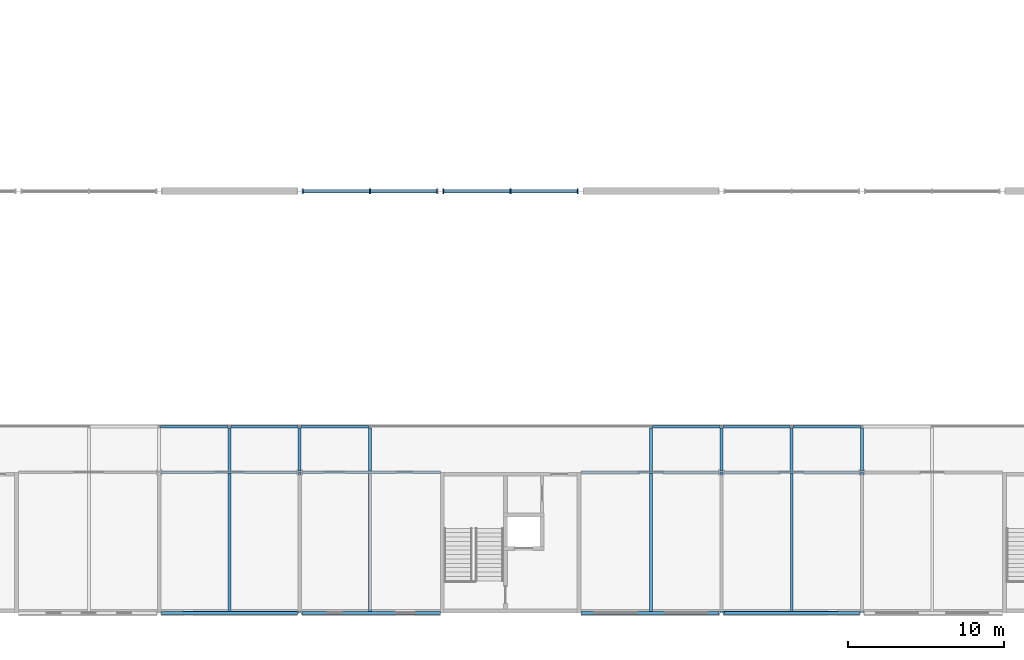
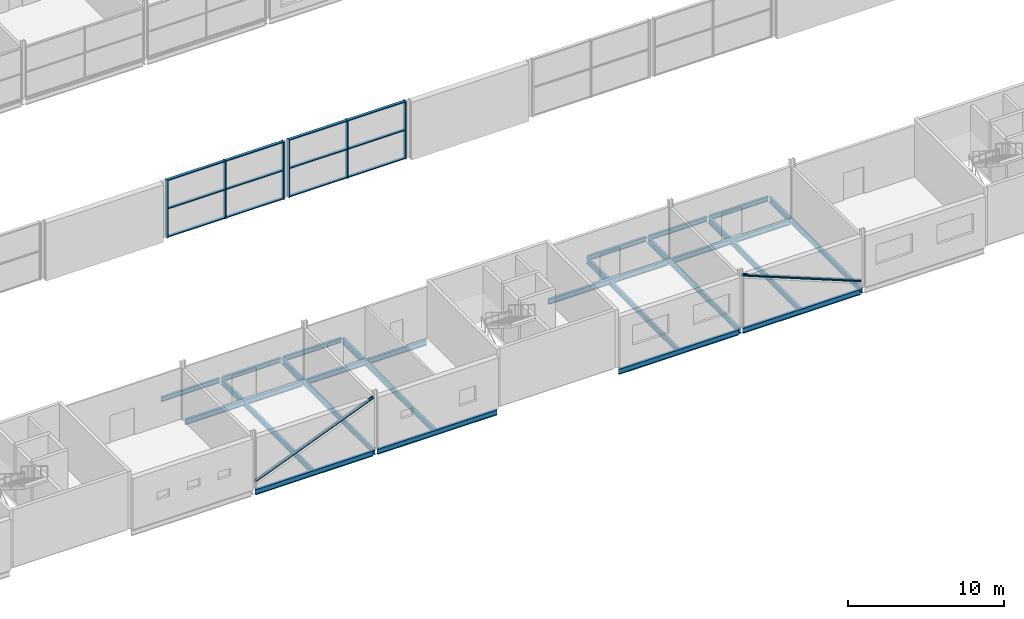
# One storey, part 33 of 97: 28 beams, 20 members, 2 elements without a shape of their own.
"""IFC4 building model written with IfcOpenShell, lengths in metres."""

from ifc_helpers import new_model, si_unit, direction, frame, origin, origin_2d, place, context, subcontext, project, spatial, rectangle, hollow_circle, i_section, extrude, material, layer, layer_set, material_profile, profile_set, type_object, element, aggregate, save


model = new_model("IFC4")

# Units and contexts
model_context = context("Model", 3, precision=1e-05, world=origin(), true_north=direction((0.0, 1.0)))
body_context = subcontext(model_context, "Body", "Model", "MODEL_VIEW")
ifc_project = project(units=[si_unit("LENGTHUNIT", "METRE"), si_unit("AREAUNIT", "SQUARE_METRE"), si_unit("VOLUMEUNIT", "CUBIC_METRE"), si_unit("PLANEANGLEUNIT", "RADIAN"), si_unit("MASSUNIT", "GRAM", prefix="KILO")], contexts=[model_context])

# Site, building, storey
site_placement = place(None, origin())
site = spatial("IfcSite", under=ifc_project, at=site_placement, CompositionType="ELEMENT")
building_placement = place(site_placement, origin())
building = spatial("IfcBuilding", under=site, at=building_placement, Name="Corbel Yard City Hall", CompositionType="ELEMENT")
storey_placement = place(building_placement, frame((0.0, 0.0, 6.0)))
storey = spatial("IfcBuildingStorey", under=building, at=storey_placement, Name="L01", CompositionType="ELEMENT", Elevation=6.0)

# Beams
ifc_material_1 = material(Name="Steel Grade 300 (300 MPa yield)", Category="steel")
ifc_material_profile_1 = material_profile(ifc_material_1, i_section(OverallWidth=0.177978515625, OverallDepth=0.403076171875, WebThickness=0.007568359375, FlangeThickness=0.010986328125, at=origin_2d()), Name="410UB53.7")
ifc_profile_set_1 = profile_set([ifc_material_profile_1], Name="Steel Grade 300 (300 MPa yield)")
beam_type_1 = type_object("IfcBeamType", Name="Beam 410UB53.7", PredefinedType="BEAM", material=ifc_profile_set_1)
for number, where, z_axis, x_axis, name in (
    (1, (72.0, 0.005859375, -0.3515625), (0.0, 1.0, 0.0), (-1.0, 0.0, 0.0), "Beam 410UB53.7 SB6 L01floor"),
    (2, (99.0, 0.005859375, -0.3515625), (0.0, 1.0, 0.0), (-1.0, 0.0, 0.0), "Beam 410UB53.7 SB6 L01floor"),
    (3, (108.0, 0.005859375, -0.3515625), (0.0, 1.0, 0.0), (-1.0, 0.0, 0.0), "Beam 410UB53.7 SB6 L01floor"),
):
    element("IfcBeam", number, at=place(storey_placement, frame(where, z_axis=z_axis, x_axis=x_axis)), inside=storey, type_object=beam_type_1, Name=name, PredefinedType="BEAM", context=body_context, shape_type="SweptSolid", body=[
        extrude(i_section(OverallWidth=0.177978515625, OverallDepth=0.403076171875, WebThickness=0.007568359375, FlangeThickness=0.010986328125, at=origin_2d()), origin(), (0.0, 0.0, 1.0), 8.986328125),
    ])

# Members
ifc_material_2 = material(Name="Steel Grade C350L0", Category="steel")
ifc_material_profile_2 = material_profile(ifc_material_2, hollow_circle(Radius=0.109619140625, WallThickness=0.00830078125, at=origin_2d()), Name="219.1x8.2CHS")
ifc_profile_set_2 = profile_set([ifc_material_profile_2], Name="Steel Grade C350L0")
member_type_1 = type_object("IfcMemberType", Name="Braced bay diagonal 219.1x8.2CHS", PredefinedType="BRACE", material=ifc_profile_set_2)
for number, where, z_axis, x_axis, name in (
    (4, (63.1298828125, 0.0, 0.5), (0.928333553829, 0.0, 0.371748319209), (0.0, 1.0, 0.0), "Brace 219.1x8.2CHS BR2"),
    (5, (99.1298828125, 0.0, 4.0), (0.928333553829, 0.0, -0.371748319209), (0.0, 1.0, 0.0), "Brace 219.1x8.2CHS BR2"),
):
    element("IfcMember", number, at=place(storey_placement, frame(where, z_axis=z_axis, x_axis=x_axis)), inside=storey, type_object=member_type_1, Name=name, PredefinedType="BRACE", context=body_context, shape_type="SweptSolid", body=[
        extrude(hollow_circle(Radius=0.109619140625, WallThickness=0.00830078125, at=origin_2d()), origin(), (0.0, 0.0, 1.0), 9.4150390625),
    ])

# Beams
ifc_material_profile_3 = material_profile(ifc_material_1, i_section(OverallWidth=0.177978515625, OverallDepth=0.406005859375, WebThickness=0.0078125, FlangeThickness=0.0126953125, at=origin_2d()), Name="410UB59.7")
ifc_profile_set_3 = profile_set([ifc_material_profile_3], Name="Steel Grade 300 (300 MPa yield)")
beam_type_2 = type_object("IfcBeamType", Name="Edge beam 410UB59.7", PredefinedType="BEAM", material=ifc_profile_set_3)
beam_1_placement = place(storey_placement, frame((63.157470703125, 0.0, -0.35302734375), z_axis=(1.0, 0.0, 0.0), x_axis=(0.0, 1.0, 0.0)))
element("IfcBeam", 6, at=beam_1_placement, inside=storey, type_object=beam_type_2, Name="Edge beam 410UB59.7 EB2 L01floor", PredefinedType="BEAM", context=body_context, shape_type="SweptSolid", body=[
    extrude(i_section(OverallWidth=0.177978515625, OverallDepth=0.406005859375, WebThickness=0.0078125, FlangeThickness=0.0126953125, at=origin_2d()), origin(), (0.0, 0.0, 1.0), 8.68505859375),
])
for number, where, z_axis, x_axis, name in (
    (7, (72.157470703125, 0.0, -0.35302734375), (1.0, 0.0, 0.0), (0.0, 1.0, 0.0), "Edge beam 410UB59.7 EB2 L01floor"),
    (8, (90.0, 0.0, -0.35302734375), (1.0, 0.0, 0.0), (0.0, 1.0, 0.0), "Edge beam 410UB59.7 EB2 L01floor"),
):
    element("IfcBeam", number, at=place(storey_placement, frame(where, z_axis=z_axis, x_axis=x_axis)), inside=storey, type_object=beam_type_2, Name=name, PredefinedType="BEAM", context=body_context, shape_type="SweptSolid", body=[
        extrude(i_section(OverallWidth=0.177978515625, OverallDepth=0.406005859375, WebThickness=0.0078125, FlangeThickness=0.0126953125, at=origin_2d()), origin(), (0.0, 0.0, 1.0), 8.842529296875),
    ])
beam_2_placement = place(storey_placement, frame((99.157470703125, 0.0, -0.35302734375), z_axis=(1.0, 0.0, 0.0), x_axis=(0.0, 1.0, 0.0)))
element("IfcBeam", 9, at=beam_2_placement, inside=storey, type_object=beam_type_2, Name="Edge beam 410UB59.7 EB2 L01floor", PredefinedType="BEAM", context=body_context, shape_type="SweptSolid", body=[
    extrude(i_section(OverallWidth=0.177978515625, OverallDepth=0.406005859375, WebThickness=0.0078125, FlangeThickness=0.0126953125, at=origin_2d()), origin(), (0.0, 0.0, 1.0), 8.68505859375),
])
beam_3_placement = place(storey_placement, frame((63.16357421875, 9.0, -0.35302734375), z_axis=(1.0, 0.0, 0.0), x_axis=(0.0, 1.0, 0.0)))
element("IfcBeam", 10, at=beam_3_placement, inside=storey, type_object=beam_type_2, Name="Edge beam 410UB59.7 EB2 L01floor", PredefinedType="BEAM", context=body_context, shape_type="SweptSolid", body=[
    extrude(i_section(OverallWidth=0.177978515625, OverallDepth=0.406005859375, WebThickness=0.0078125, FlangeThickness=0.0126953125, at=origin_2d()), origin(), (0.0, 0.0, 1.0), 8.6728515625),
])
for number, where, z_axis, x_axis, name in (
    (11, (72.16357421875, 9.0, -0.35302734375), (1.0, 0.0, 0.0), (0.0, 1.0, 0.0), "Edge beam 410UB59.7 EB2 L01floor"),
    (12, (90.0, 9.0, -0.35302734375), (1.0, 0.0, 0.0), (0.0, 1.0, 0.0), "Edge beam 410UB59.7 EB2 L01floor"),
):
    element("IfcBeam", number, at=place(storey_placement, frame(where, z_axis=z_axis, x_axis=x_axis)), inside=storey, type_object=beam_type_2, Name=name, PredefinedType="BEAM", context=body_context, shape_type="SweptSolid", body=[
        extrude(i_section(OverallWidth=0.177978515625, OverallDepth=0.406005859375, WebThickness=0.0078125, FlangeThickness=0.0126953125, at=origin_2d()), origin(), (0.0, 0.0, 1.0), 8.83642578125),
    ])
beam_4_placement = place(storey_placement, frame((99.16357421875, 9.0, -0.35302734375), z_axis=(1.0, 0.0, 0.0), x_axis=(0.0, 1.0, 0.0)))
element("IfcBeam", 13, at=beam_4_placement, inside=storey, type_object=beam_type_2, Name="Edge beam 410UB59.7 EB2 L01floor", PredefinedType="BEAM", context=body_context, shape_type="SweptSolid", body=[
    extrude(i_section(OverallWidth=0.177978515625, OverallDepth=0.406005859375, WebThickness=0.0078125, FlangeThickness=0.0126953125, at=origin_2d()), origin(), (0.0, 0.0, 1.0), 8.6728515625),
])
ifc_material_profile_4 = material_profile(ifc_material_1, i_section(OverallWidth=0.18994140625, OverallDepth=0.4541015625, WebThickness=0.008544921875, FlangeThickness=0.0126953125, at=origin_2d()), Name="460UB67.1")
ifc_profile_set_4 = profile_set([ifc_material_profile_4], Name="Steel Grade 300 (300 MPa yield)")
beam_type_3 = type_object("IfcBeamType", Name="Gallery bracket 460UB67.1", PredefinedType="BEAM", material=ifc_profile_set_4)
for number, where, z_axis, x_axis, name in (
    (14, (67.5, 9.089111328125, -0.376953125), (0.0, 1.0, 0.0), (-1.0, 0.0, 0.0), "Gallery bracket 460UB67.1 CB2 L01"),
    (15, (72.0, 9.089111328125, -0.376953125), (0.0, 1.0, 0.0), (-1.0, 0.0, 0.0), "Gallery bracket 460UB67.1 CB2 L01"),
    (16, (76.5, 9.089111328125, -0.376953125), (0.0, 1.0, 0.0), (-1.0, 0.0, 0.0), "Gallery bracket 460UB67.1 CB2 L01"),
    (17, (94.5, 9.089111328125, -0.376953125), (0.0, 1.0, 0.0), (-1.0, 0.0, 0.0), "Gallery bracket 460UB67.1 CB2 L01"),
    (18, (99.0, 9.089111328125, -0.376953125), (0.0, 1.0, 0.0), (-1.0, 0.0, 0.0), "Gallery bracket 460UB67.1 CB2 L01"),
    (19, (103.5, 9.089111328125, -0.376953125), (0.0, 1.0, 0.0), (-1.0, 0.0, 0.0), "Gallery bracket 460UB67.1 CB2 L01"),
    (20, (108.0, 9.089111328125, -0.376953125), (0.0, 1.0, 0.0), (-1.0, 0.0, 0.0), "Gallery bracket 460UB67.1 CB2 L01"),
):
    element("IfcBeam", number, at=place(storey_placement, frame(where, z_axis=z_axis, x_axis=x_axis)), inside=storey, type_object=beam_type_3, Name=name, PredefinedType="BEAM", context=body_context, shape_type="SweptSolid", body=[
        extrude(i_section(OverallWidth=0.18994140625, OverallDepth=0.4541015625, WebThickness=0.008544921875, FlangeThickness=0.0126953125, at=origin_2d()), origin(), (0.0, 0.0, 1.0), 2.739990234375),
    ])
ifc_material_profile_5 = material_profile(ifc_material_1, i_section(OverallWidth=0.1708984375, OverallDepth=0.35205078125, WebThickness=0.0068359375, FlangeThickness=0.009765625, at=origin_2d()), Name="360UB44.7")
ifc_profile_set_5 = profile_set([ifc_material_profile_5], Name="Steel Grade 300 (300 MPa yield)")
beam_type_4 = type_object("IfcBeamType", Name="Gallery edge beam 360UB44.7", PredefinedType="BEAM", material=ifc_profile_set_5)
for number, where, z_axis, x_axis, name in (
    (21, (63.094970703125, 11.91455078125, -0.325927734375), (1.0, 0.0, 0.0), (0.0, 1.0, 0.0), "Gallery edge beam 360UB44.7 EB13 L01"),
    (22, (67.594970703125, 11.91455078125, -0.325927734375), (1.0, 0.0, 0.0), (0.0, 1.0, 0.0), "Gallery edge beam 360UB44.7 EB13 L01"),
    (23, (72.094970703125, 11.91455078125, -0.325927734375), (1.0, 0.0, 0.0), (0.0, 1.0, 0.0), "Gallery edge beam 360UB44.7 EB13 L01"),
    (24, (94.594970703125, 11.91455078125, -0.325927734375), (1.0, 0.0, 0.0), (0.0, 1.0, 0.0), "Gallery edge beam 360UB44.7 EB13 L01"),
    (25, (99.094970703125, 11.91455078125, -0.325927734375), (1.0, 0.0, 0.0), (0.0, 1.0, 0.0), "Gallery edge beam 360UB44.7 EB13 L01"),
    (26, (103.594970703125, 11.91455078125, -0.325927734375), (1.0, 0.0, 0.0), (0.0, 1.0, 0.0), "Gallery edge beam 360UB44.7 EB13 L01"),
):
    element("IfcBeam", number, at=place(storey_placement, frame(where, z_axis=z_axis, x_axis=x_axis)), inside=storey, type_object=beam_type_4, Name=name, PredefinedType="BEAM", context=body_context, shape_type="SweptSolid", body=[
        extrude(i_section(OverallWidth=0.1708984375, OverallDepth=0.35205078125, WebThickness=0.0068359375, FlangeThickness=0.009765625, at=origin_2d()), origin(), (0.0, 0.0, 1.0), 4.31005859375),
    ])

# Curtain wall, members
ifc_material_3 = material(Name="Aluminium extrusion", Category="aluminium")
ifc_layer = layer(ifc_material_3, 0.300048828125)
ifc_layer_set = layer_set([ifc_layer], Name="Aluminium extrusion")
curtain_wall_type = type_object("IfcCurtainWallType", Name="CW7", PredefinedType="USERDEFINED", material=ifc_layer_set)
curtain_wall_1_placement = place(storey_placement, origin())
curtain_wall_1 = element("IfcCurtainWall", 27, at=curtain_wall_1_placement, inside=storey, type_object=curtain_wall_type, Name="Curtain wall CW7 L01", ObjectType="CURTAIN WALL", PredefinedType="USERDEFINED")
ifc_material_profile_6 = material_profile(ifc_material_3, rectangle(XDim=0.300048828125, YDim=0.080078125, at=origin_2d()), Name="300x80")
ifc_profile_set_6 = profile_set([ifc_material_profile_6], Name="Aluminium extrusion")
member_type_2 = type_object("IfcMemberType", Name="ML7", PredefinedType="MULLION", material=ifc_profile_set_6)
member_1_placement = place(storey_placement, frame((72.197509765625, 27.0, 0.0), z_axis=(0.0, 0.0, 1.0), x_axis=(0.0, 1.0, 0.0)))
member_1 = element("IfcMember", 28, at=member_1_placement, type_object=member_type_2, Name="CW7 mullion 1", PredefinedType="MULLION", context=body_context, shape_type="SweptSolid", body=[
    extrude(rectangle(XDim=0.300048828125, YDim=0.080078125, at=origin_2d()), origin(), (0.0, 0.0, 1.0), 4.5),
])
member_2_placement = place(storey_placement, frame((76.5, 27.0, 0.0), z_axis=(0.0, 0.0, 1.0), x_axis=(0.0, 1.0, 0.0)))
member_2 = element("IfcMember", 29, at=member_2_placement, type_object=member_type_2, Name="CW7 mullion 2", PredefinedType="MULLION", context=body_context, shape_type="SweptSolid", body=[
    extrude(rectangle(XDim=0.300048828125, YDim=0.080078125, at=origin_2d()), origin(), (0.0, 0.0, 1.0), 4.5),
])
member_3_placement = place(storey_placement, frame((80.802490234375, 27.0, 0.0), z_axis=(0.0, 0.0, 1.0), x_axis=(0.0, 1.0, 0.0)))
member_3 = element("IfcMember", 30, at=member_3_placement, type_object=member_type_2, Name="CW7 mullion 3", PredefinedType="MULLION", context=body_context, shape_type="SweptSolid", body=[
    extrude(rectangle(XDim=0.300048828125, YDim=0.080078125, at=origin_2d()), origin(), (0.0, 0.0, 1.0), 4.5),
])

curtain_wall_2_placement = place(storey_placement, origin())
curtain_wall_2 = element("IfcCurtainWall", 31, at=curtain_wall_2_placement, inside=storey, type_object=curtain_wall_type, Name="Curtain wall CW7 L01", ObjectType="CURTAIN WALL", PredefinedType="USERDEFINED")
member_4_placement = place(storey_placement, frame((81.197509765625, 27.0, 0.0), z_axis=(0.0, 0.0, 1.0), x_axis=(0.0, 1.0, 0.0)))
member_4 = element("IfcMember", 32, at=member_4_placement, type_object=member_type_2, Name="CW7 mullion 1", PredefinedType="MULLION", context=body_context, shape_type="SweptSolid", body=[
    extrude(rectangle(XDim=0.300048828125, YDim=0.080078125, at=origin_2d()), origin(), (0.0, 0.0, 1.0), 4.5),
])
member_5_placement = place(storey_placement, frame((85.5, 27.0, 0.0), z_axis=(0.0, 0.0, 1.0), x_axis=(0.0, 1.0, 0.0)))
member_5 = element("IfcMember", 33, at=member_5_placement, type_object=member_type_2, Name="CW7 mullion 2", PredefinedType="MULLION", context=body_context, shape_type="SweptSolid", body=[
    extrude(rectangle(XDim=0.300048828125, YDim=0.080078125, at=origin_2d()), origin(), (0.0, 0.0, 1.0), 4.5),
])
member_6_placement = place(storey_placement, frame((89.802490234375, 27.0, 0.0), z_axis=(0.0, 0.0, 1.0), x_axis=(0.0, 1.0, 0.0)))
member_6 = element("IfcMember", 34, at=member_6_placement, type_object=member_type_2, Name="CW7 mullion 3", PredefinedType="MULLION", context=body_context, shape_type="SweptSolid", body=[
    extrude(rectangle(XDim=0.300048828125, YDim=0.080078125, at=origin_2d()), origin(), (0.0, 0.0, 1.0), 4.5),
])

# Beams
ifc_material_profile_7 = material_profile(ifc_material_1, i_section(OverallWidth=0.177978515625, OverallDepth=0.403076171875, WebThickness=0.007568359375, FlangeThickness=0.010986328125, at=origin_2d()), Name="410UB53.7")
ifc_profile_set_7 = profile_set([ifc_material_profile_7], Name="Steel Grade 300 (300 MPa yield)")
beam_type_5 = type_object("IfcBeamType", Name="Secondary beam 410UB53.7", PredefinedType="JOIST", material=ifc_profile_set_7)
for number, where, z_axis, x_axis, name in (
    (35, (67.5, 0.089111328125, -0.3515625), (0.0, 1.0, 0.0), (-1.0, 0.0, 0.0), "Secondary beam 410UB53.7 SB5 L01floor"),
    (36, (76.5, 0.089111328125, -0.3515625), (0.0, 1.0, 0.0), (-1.0, 0.0, 0.0), "Secondary beam 410UB53.7 SB5 L01floor"),
    (37, (94.5, 0.089111328125, -0.3515625), (0.0, 1.0, 0.0), (-1.0, 0.0, 0.0), "Secondary beam 410UB53.7 SB5 L01floor"),
    (38, (103.5, 0.089111328125, -0.3515625), (0.0, 1.0, 0.0), (-1.0, 0.0, 0.0), "Secondary beam 410UB53.7 SB5 L01floor"),
):
    element("IfcBeam", number, at=place(storey_placement, frame(where, z_axis=z_axis, x_axis=x_axis)), inside=storey, type_object=beam_type_5, Name=name, PredefinedType="JOIST", context=body_context, shape_type="SweptSolid", body=[
        extrude(i_section(OverallWidth=0.177978515625, OverallDepth=0.403076171875, WebThickness=0.007568359375, FlangeThickness=0.010986328125, at=origin_2d()), origin(), (0.0, 0.0, 1.0), 8.82177734375),
    ])

# Member
ifc_material_profile_8 = material_profile(ifc_material_3, rectangle(XDim=0.199951171875, YDim=0.080078125, at=origin_2d()), Name="200x80")
ifc_profile_set_8 = profile_set([ifc_material_profile_8], Name="Aluminium extrusion")
member_type_3 = type_object("IfcMemberType", Name="TR7", PredefinedType="USERDEFINED", material=ifc_profile_set_8)
member_7_placement = place(storey_placement, frame((72.237548828125, 27.0, 0.0400390625), z_axis=(1.0, 0.0, 0.0), x_axis=(0.0, 1.0, 0.0)))
member_7 = element("IfcMember", 39, at=member_7_placement, type_object=member_type_3, Name="CW7 transom 1.1", ObjectType="TRANSOM", PredefinedType="USERDEFINED", context=body_context, shape_type="SweptSolid", body=[
    extrude(rectangle(XDim=0.199951171875, YDim=0.080078125, at=origin_2d()), origin(), (0.0, 0.0, 1.0), 4.222412109375),
])

member_8_placement = place(storey_placement, frame((72.237548828125, 27.0, 2.25), z_axis=(1.0, 0.0, 0.0), x_axis=(0.0, 1.0, 0.0)))
member_8 = element("IfcMember", 40, at=member_8_placement, type_object=member_type_3, Name="CW7 transom 1.2", ObjectType="TRANSOM", PredefinedType="USERDEFINED", context=body_context, shape_type="SweptSolid", body=[
    extrude(rectangle(XDim=0.199951171875, YDim=0.080078125, at=origin_2d()), origin(), (0.0, 0.0, 1.0), 4.222412109375),
])

member_9_placement = place(storey_placement, frame((72.237548828125, 27.0, 4.4599609375), z_axis=(1.0, 0.0, 0.0), x_axis=(0.0, 1.0, 0.0)))
member_9 = element("IfcMember", 41, at=member_9_placement, type_object=member_type_3, Name="CW7 transom 1.3", ObjectType="TRANSOM", PredefinedType="USERDEFINED", context=body_context, shape_type="SweptSolid", body=[
    extrude(rectangle(XDim=0.199951171875, YDim=0.080078125, at=origin_2d()), origin(), (0.0, 0.0, 1.0), 4.222412109375),
])

member_10_placement = place(storey_placement, frame((76.5400390625, 27.0, 0.0400390625), z_axis=(1.0, 0.0, 0.0), x_axis=(0.0, 1.0, 0.0)))
member_10 = element("IfcMember", 42, at=member_10_placement, type_object=member_type_3, Name="CW7 transom 2.1", ObjectType="TRANSOM", PredefinedType="USERDEFINED", context=body_context, shape_type="SweptSolid", body=[
    extrude(rectangle(XDim=0.199951171875, YDim=0.080078125, at=origin_2d()), origin(), (0.0, 0.0, 1.0), 4.222412109375),
])

member_11_placement = place(storey_placement, frame((76.5400390625, 27.0, 2.25), z_axis=(1.0, 0.0, 0.0), x_axis=(0.0, 1.0, 0.0)))
member_11 = element("IfcMember", 43, at=member_11_placement, type_object=member_type_3, Name="CW7 transom 2.2", ObjectType="TRANSOM", PredefinedType="USERDEFINED", context=body_context, shape_type="SweptSolid", body=[
    extrude(rectangle(XDim=0.199951171875, YDim=0.080078125, at=origin_2d()), origin(), (0.0, 0.0, 1.0), 4.222412109375),
])

member_12_placement = place(storey_placement, frame((76.5400390625, 27.0, 4.4599609375), z_axis=(1.0, 0.0, 0.0), x_axis=(0.0, 1.0, 0.0)))
member_12 = element("IfcMember", 44, at=member_12_placement, type_object=member_type_3, Name="CW7 transom 2.3", ObjectType="TRANSOM", PredefinedType="USERDEFINED", context=body_context, shape_type="SweptSolid", body=[
    extrude(rectangle(XDim=0.199951171875, YDim=0.080078125, at=origin_2d()), origin(), (0.0, 0.0, 1.0), 4.222412109375),
])

aggregate(curtain_wall_1, [member_1, member_2, member_3, member_7, member_8, member_9, member_10, member_11, member_12])

member_13_placement = place(storey_placement, frame((81.237548828125, 27.0, 0.0400390625), z_axis=(1.0, 0.0, 0.0), x_axis=(0.0, 1.0, 0.0)))
member_13 = element("IfcMember", 45, at=member_13_placement, type_object=member_type_3, Name="CW7 transom 1.1", ObjectType="TRANSOM", PredefinedType="USERDEFINED", context=body_context, shape_type="SweptSolid", body=[
    extrude(rectangle(XDim=0.199951171875, YDim=0.080078125, at=origin_2d()), origin(), (0.0, 0.0, 1.0), 4.222412109375),
])

member_14_placement = place(storey_placement, frame((81.237548828125, 27.0, 2.25), z_axis=(1.0, 0.0, 0.0), x_axis=(0.0, 1.0, 0.0)))
member_14 = element("IfcMember", 46, at=member_14_placement, type_object=member_type_3, Name="CW7 transom 1.2", ObjectType="TRANSOM", PredefinedType="USERDEFINED", context=body_context, shape_type="SweptSolid", body=[
    extrude(rectangle(XDim=0.199951171875, YDim=0.080078125, at=origin_2d()), origin(), (0.0, 0.0, 1.0), 4.222412109375),
])

member_15_placement = place(storey_placement, frame((81.237548828125, 27.0, 4.4599609375), z_axis=(1.0, 0.0, 0.0), x_axis=(0.0, 1.0, 0.0)))
member_15 = element("IfcMember", 47, at=member_15_placement, type_object=member_type_3, Name="CW7 transom 1.3", ObjectType="TRANSOM", PredefinedType="USERDEFINED", context=body_context, shape_type="SweptSolid", body=[
    extrude(rectangle(XDim=0.199951171875, YDim=0.080078125, at=origin_2d()), origin(), (0.0, 0.0, 1.0), 4.222412109375),
])

member_16_placement = place(storey_placement, frame((85.5400390625, 27.0, 0.0400390625), z_axis=(1.0, 0.0, 0.0), x_axis=(0.0, 1.0, 0.0)))
member_16 = element("IfcMember", 48, at=member_16_placement, type_object=member_type_3, Name="CW7 transom 2.1", ObjectType="TRANSOM", PredefinedType="USERDEFINED", context=body_context, shape_type="SweptSolid", body=[
    extrude(rectangle(XDim=0.199951171875, YDim=0.080078125, at=origin_2d()), origin(), (0.0, 0.0, 1.0), 4.222412109375),
])

member_17_placement = place(storey_placement, frame((85.5400390625, 27.0, 2.25), z_axis=(1.0, 0.0, 0.0), x_axis=(0.0, 1.0, 0.0)))
member_17 = element("IfcMember", 49, at=member_17_placement, type_object=member_type_3, Name="CW7 transom 2.2", ObjectType="TRANSOM", PredefinedType="USERDEFINED", context=body_context, shape_type="SweptSolid", body=[
    extrude(rectangle(XDim=0.199951171875, YDim=0.080078125, at=origin_2d()), origin(), (0.0, 0.0, 1.0), 4.222412109375),
])

member_18_placement = place(storey_placement, frame((85.5400390625, 27.0, 4.4599609375), z_axis=(1.0, 0.0, 0.0), x_axis=(0.0, 1.0, 0.0)))
member_18 = element("IfcMember", 50, at=member_18_placement, type_object=member_type_3, Name="CW7 transom 2.3", ObjectType="TRANSOM", PredefinedType="USERDEFINED", context=body_context, shape_type="SweptSolid", body=[
    extrude(rectangle(XDim=0.199951171875, YDim=0.080078125, at=origin_2d()), origin(), (0.0, 0.0, 1.0), 4.222412109375),
])

aggregate(curtain_wall_2, [member_4, member_5, member_6, member_13, member_14, member_15, member_16, member_17, member_18])

save(model, "model.ifc")
